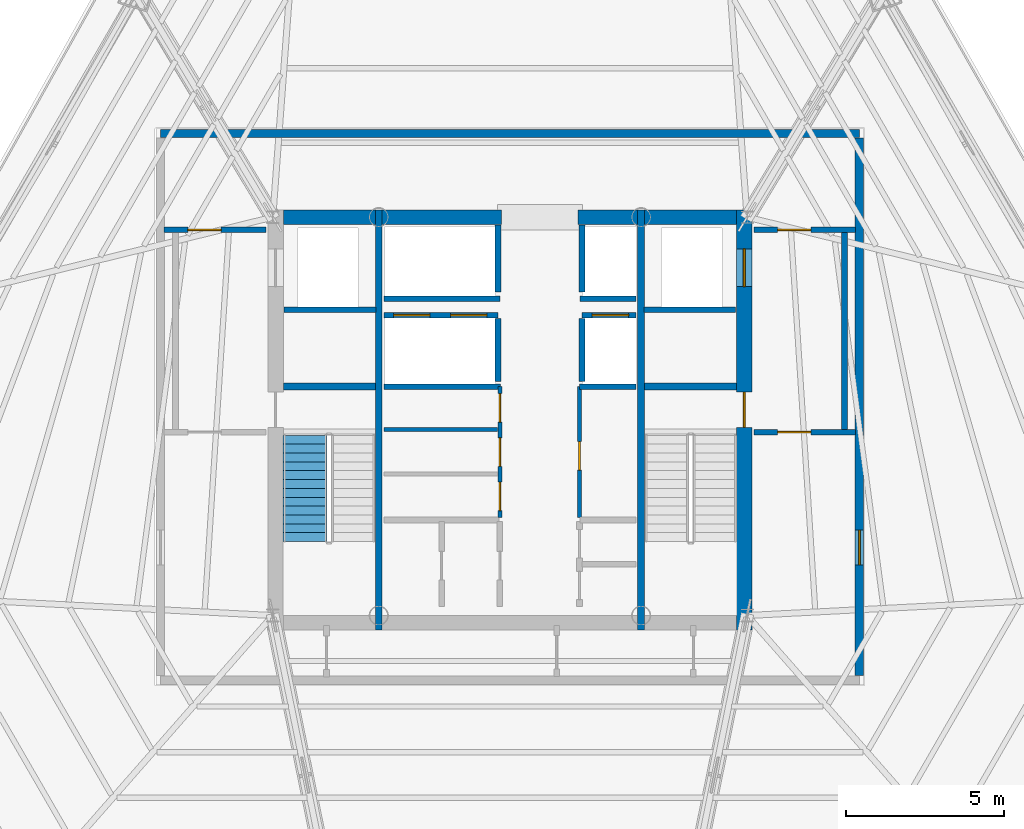
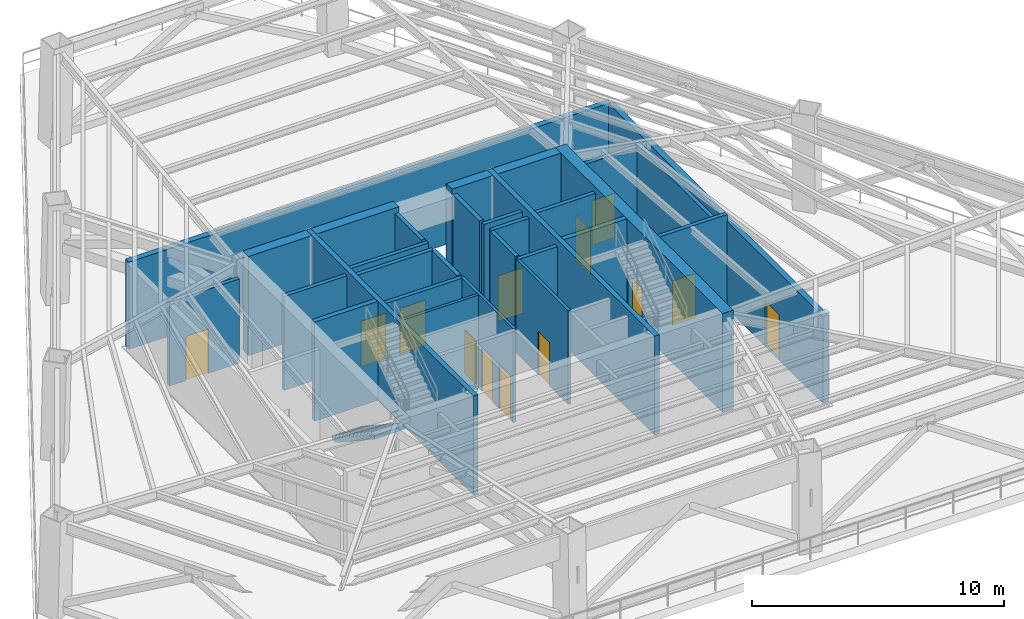
# One storey, part 6 of 12: 30 walls, 13 doors, 1 stair flight, 13 openings, 1 element without a shape of its own.
"""IFC4 building model written with IfcOpenShell, lengths in metres."""

from ifc_helpers import new_model, si_unit, direction, frame, frame_2d, origin, place, context, subcontext, project, spatial, polyline, rectangle, outline, extrude, material, layer, layer_set, type_object, element, fill, aggregate, save


model = new_model("IFC4")

# Units and contexts
model_context = context("Model", 3, precision=1e-05, world=origin(), true_north=direction((0.0, 1.0)))
body_context = subcontext(model_context, "Body", "Model", "MODEL_VIEW")
ifc_project = project(units=[si_unit("LENGTHUNIT", "METRE"), si_unit("AREAUNIT", "SQUARE_METRE"), si_unit("VOLUMEUNIT", "CUBIC_METRE"), si_unit("PLANEANGLEUNIT", "RADIAN"), si_unit("MASSUNIT", "GRAM", prefix="KILO")], contexts=[model_context])

# Site, building, storey
site_placement = place(None, origin())
site = spatial("IfcSite", under=ifc_project, at=site_placement, CompositionType="ELEMENT")
building_placement = place(site_placement, origin())
building = spatial("IfcBuilding", under=site, at=building_placement, Name="Caelisora Broadcast Tower", CompositionType="ELEMENT")
storey_placement = place(building_placement, frame((0.0, 0.0, 150.050048828125)))
storey = spatial("IfcBuildingStorey", under=building, at=storey_placement, Name="L39", CompositionType="ELEMENT", Elevation=150.050048828125)

# Wall, openings, doors
ifc_material_1 = material(Name="Concrete 50 MPa (AS 3600 S50)", Category="concrete")
ifc_layer_1 = layer(ifc_material_1, 0.5, Name="Concrete 50 MPa (AS 3600 S50)")
ifc_layer_set_1 = layer_set([ifc_layer_1], Name="Concrete 50 MPa (AS 3600 S50)")
wall_type_1 = type_object("IfcWallType", Name="CW2", PredefinedType="SHEAR", material=ifc_layer_set_1)
wall_1_placement = place(storey_placement, frame((45.409912109375, 16.949951171875, 0.0), z_axis=(0.0, 0.0, 1.0), x_axis=(0.0, 1.0, 0.0)))
wall_1 = element("IfcWall", 1, at=wall_1_placement, inside=storey, type_object=wall_type_1, Name="L39 core shear wall CW2", PredefinedType="SHEAR", context=body_context, shape_type="SweptSolid", body=[
    extrude(rectangle(XDim=13.275146484375, YDim=0.5, at=frame_2d((6.6376953125, 0.0))), origin(), (0.0, 0.0, 1.0), 4.800048828125),
])
opening_1_placement = place(wall_1_placement, frame((6.39990234375, 0.0, 0.0)))
opening_1 = element("IfcOpeningElement", 2, at=opening_1_placement, cuts=wall_1, Name="Opening FD04", PredefinedType="OPENING", context=body_context, shape_type="SweptSolid", body=[
    extrude(rectangle(XDim=1.1201171875, YDim=2.14990234375, at=frame_2d((0.56005859375, 1.074951171875))), frame((0.0, 0.261962890625, 0.0), z_axis=(0.0, -1.0, 0.0), x_axis=(1.0, 0.0, 0.0)), (0.0, 0.0, 1.0), 0.52392578125),
])
opening_2_placement = place(wall_1_placement, frame((10.85009765625, 0.0, 0.0)))
opening_2 = element("IfcOpeningElement", 3, at=opening_2_placement, cuts=wall_1, Name="Opening LD04", PredefinedType="OPENING", context=body_context, shape_type="SweptSolid", body=[
    extrude(rectangle(XDim=1.199951171875, YDim=2.199951171875, at=frame_2d((0.60009765625, 1.10009765625))), frame((0.0, 0.261962890625, 0.0), z_axis=(0.0, -1.0, 0.0), x_axis=(1.0, 0.0, 0.0)), (0.0, 0.0, 1.0), 0.52392578125),
])
ifc_material_2 = material(Name="Pressurised Fire-Isolated Stair Door", Category="steel")
door_type_1 = type_object("IfcDoorType", Name="FD04", OperationType="NOTDEFINED", PredefinedType="DOOR", material=ifc_material_2)
door_1_placement = place(opening_1_placement, origin())
door_1 = element("IfcDoor", 4, at=door_1_placement, inside=storey, type_object=door_type_1, Name="L39 door FD04 (L39-DR-ST2)", OperationType="SINGLE_SWING_RIGHT", OverallHeight=2.14990234375, OverallWidth=1.1201171875, PredefinedType="DOOR", context=body_context, shape_type="SweptSolid", body=[
    extrude(rectangle(XDim=1.1201171875, YDim=2.14990234375, at=frame_2d((0.56005859375, 1.074951171875))), frame((0.0, 0.02490234375, 0.0), z_axis=(0.0, -1.0, 0.0), x_axis=(1.0, 0.0, 0.0)), (0.0, 0.0, 1.0), 0.050048828125),
])
fill(opening_1, door_1)
ifc_material_3 = material(Name="Emergency Firefighting Lift Sliding Landing Door", Category="steel")
door_type_2 = type_object("IfcDoorType", Name="LD04", OperationType="NOTDEFINED", PredefinedType="DOOR", material=ifc_material_3)
door_2_placement = place(opening_2_placement, origin())
door_2 = element("IfcDoor", 5, at=door_2_placement, inside=storey, type_object=door_type_2, Name="L39 door LD04 (L39-LD-FFL2)", OperationType="SLIDING_TO_RIGHT", OverallHeight=2.199951171875, OverallWidth=1.199951171875, PredefinedType="DOOR", context=body_context, shape_type="SweptSolid", body=[
    extrude(rectangle(XDim=1.199951171875, YDim=2.199951171875, at=frame_2d((0.60009765625, 1.10009765625))), frame((0.0, 0.02490234375, 0.0), z_axis=(0.0, -1.0, 0.0), x_axis=(1.0, 0.0, 0.0)), (0.0, 0.0, 1.0), 0.050048828125),
])
fill(opening_2, door_2)

# Walls
ifc_layer_2 = layer(ifc_material_1, 0.449951171875, Name="Concrete 50 MPa (AS 3600 S50)")
ifc_layer_set_2 = layer_set([ifc_layer_2], Name="Concrete 50 MPa (AS 3600 S50)")
wall_type_2 = type_object("IfcWallType", Name="CW5", PredefinedType="SHEAR", material=ifc_layer_set_2)
wall_2_placement = place(storey_placement, frame((30.840087890625, 30.0, 0.0), z_axis=(0.0, 0.0, 1.0), x_axis=(1.0, 0.0, 0.0)))
element("IfcWall", 6, at=wall_2_placement, inside=storey, type_object=wall_type_2, Name="L39 core shear wall CW5", PredefinedType="SHEAR", context=body_context, shape_type="SweptSolid", body=[
    extrude(rectangle(XDim=2.89990234375, YDim=0.449951171875, at=frame_2d((1.449951171875, 0.0))), origin(), (0.0, 0.0, 1.0), 4.800048828125),
])
wall_3_placement = place(storey_placement, frame((33.9599609375, 30.0, 0.0), z_axis=(0.0, 0.0, 1.0), x_axis=(1.0, 0.0, 0.0)))
element("IfcWall", 7, at=wall_3_placement, inside=storey, type_object=wall_type_2, Name="L39 core shear wall CW5", PredefinedType="SHEAR", context=body_context, shape_type="SweptSolid", body=[
    extrude(rectangle(XDim=3.780029296875, YDim=0.449951171875, at=frame_2d((1.89013671875, 0.0))), origin(), (0.0, 0.0, 1.0), 4.800048828125),
])
wall_4_placement = place(storey_placement, frame((40.159912109375, 30.0, 0.0), z_axis=(0.0, 0.0, 1.0), x_axis=(1.0, 0.0, 0.0)))
element("IfcWall", 8, at=wall_4_placement, inside=storey, type_object=wall_type_2, Name="L39 core shear wall CW5", PredefinedType="SHEAR", context=body_context, shape_type="SweptSolid", body=[
    extrude(rectangle(XDim=1.880126953125, YDim=0.449951171875, at=frame_2d((0.93994140625, 0.0))), origin(), (0.0, 0.0, 1.0), 4.800048828125),
])
wall_5_placement = place(storey_placement, frame((42.260009765625, 30.0, 0.0), z_axis=(0.0, 0.0, 1.0), x_axis=(1.0, 0.0, 0.0)))
element("IfcWall", 9, at=wall_5_placement, inside=storey, type_object=wall_type_2, Name="L39 core shear wall CW5", PredefinedType="SHEAR", context=body_context, shape_type="SweptSolid", body=[
    extrude(rectangle(XDim=2.89990234375, YDim=0.449951171875, at=frame_2d((1.449951171875, 0.0))), origin(), (0.0, 0.0, 1.0), 4.800048828125),
])
ifc_layer_3 = layer(ifc_material_1, 0.219970703125, Name="Concrete 50 MPa (AS 3600 S50)")
ifc_layer_set_3 = layer_set([ifc_layer_3], Name="Concrete 50 MPa (AS 3600 S50)")
wall_type_3 = type_object("IfcWallType", Name="CW7", PredefinedType="SHEAR", material=ifc_layer_set_3)
for number, where, z_axis, x_axis, name in (
    (10, (33.85009765625, 16.949951171875, 0.0), (0.0, 0.0, 1.0), (0.0, 1.0, 0.0), "L39 core shear wall CW7"),
    (11, (42.14990234375, 16.949951171875, 0.0), (0.0, 0.0, 1.0), (0.0, 1.0, 0.0), "L39 core shear wall CW7"),
):
    element("IfcWall", number, at=place(storey_placement, frame(where, z_axis=z_axis, x_axis=x_axis)), inside=storey, type_object=wall_type_3, Name=name, PredefinedType="SHEAR", context=body_context, shape_type="SweptSolid", body=[
        extrude(rectangle(XDim=13.275146484375, YDim=0.219970703125, at=frame_2d((6.6376953125, 0.0))), origin(), (0.0, 0.0, 1.0), 4.800048828125),
    ])
for number, where, z_axis, x_axis, name in (
    (12, (30.840087890625, 24.639892578125, 0.0), (0.0, 0.0, 1.0), (1.0, 0.0, 0.0), "L39 core shear wall CW7"),
    (13, (42.260009765625, 24.639892578125, 0.0), (0.0, 0.0, 1.0), (1.0, 0.0, 0.0), "L39 core shear wall CW7"),
):
    element("IfcWall", number, at=place(storey_placement, frame(where, z_axis=z_axis, x_axis=x_axis)), inside=storey, type_object=wall_type_3, Name=name, PredefinedType="SHEAR", context=body_context, shape_type="SweptSolid", body=[
        extrude(rectangle(XDim=2.89990234375, YDim=0.219970703125, at=frame_2d((1.449951171875, 0.0))), origin(), (0.0, 0.0, 1.0), 4.800048828125),
    ])
ifc_material_4 = material(Name="Fire-Rated Acoustic Plant Enclosure Wall", Category="masonry")
ifc_layer_4 = layer(ifc_material_4, 0.260009765625, Name="Fire-Rated Acoustic Plant Enclosure Wall")
ifc_layer_set_4 = layer_set([ifc_layer_4], Name="Fire-Rated Acoustic Plant Enclosure Wall")
wall_type_4 = type_object("IfcWallType", Name="EW2", PredefinedType="STANDARD", material=ifc_layer_set_4)
wall_6_placement = place(storey_placement, frame((26.949951171875, 32.64990234375, 0.0), z_axis=(0.0, 0.0, 1.0), x_axis=(1.0, 0.0, 0.0)))
element("IfcWall", 14, at=wall_6_placement, inside=storey, type_object=wall_type_4, Name="L39 exterior envelope wall EW2", PredefinedType="STANDARD", context=body_context, shape_type="SweptSolid", body=[
    extrude(rectangle(XDim=22.10009765625, YDim=0.260009765625, at=frame_2d((11.050048828125, 0.0))), origin(), (0.0, 0.0, 1.0), 4.227783203125),
])

# Wall, opening, door
wall_7_placement = place(storey_placement, frame((49.050048828125, 15.5, 0.0), z_axis=(0.0, 0.0, 1.0), x_axis=(0.0, 1.0, 0.0)))
wall_7 = element("IfcWall", 15, at=wall_7_placement, inside=storey, type_object=wall_type_4, Name="L39 exterior envelope wall EW2", PredefinedType="STANDARD", context=body_context, shape_type="SweptSolid", body=[
    extrude(rectangle(XDim=17.0, YDim=0.260009765625, at=frame_2d((8.5, 0.0))), origin(), (0.0, 0.0, 1.0), 4.227783203125),
])
opening_3_placement = place(wall_7_placement, frame((3.5, 0.0, 0.0)))
opening_3 = element("IfcOpeningElement", 16, at=opening_3_placement, cuts=wall_7, Name="Opening D04", PredefinedType="OPENING", context=body_context, shape_type="SweptSolid", body=[
    extrude(rectangle(XDim=1.10009765625, YDim=2.199951171875, at=frame_2d((0.550048828125, 1.10009765625))), frame((0.0, 0.14208984375, 0.0), z_axis=(0.0, -1.0, 0.0), x_axis=(1.0, 0.0, 0.0)), (0.0, 0.0, 1.0), 0.283935546875),
])
ifc_material_5 = material(Name="Aluminium Framed Double-Glazed Terrace Door", Category="aluminium")
door_type_3 = type_object("IfcDoorType", Name="D04", OperationType="NOTDEFINED", PredefinedType="DOOR", material=ifc_material_5)
door_3_placement = place(opening_3_placement, origin())
door_3 = element("IfcDoor", 17, at=door_3_placement, inside=storey, type_object=door_type_3, Name="L39 door D04 (L39-DR-REF-E)", OperationType="SINGLE_SWING_RIGHT", OverallHeight=2.199951171875, OverallWidth=1.10009765625, PredefinedType="DOOR", context=body_context, shape_type="SweptSolid", body=[
    extrude(rectangle(XDim=1.10009765625, YDim=2.199951171875, at=frame_2d((0.550048828125, 1.10009765625))), frame((0.0, 0.02490234375, 0.0), z_axis=(0.0, -1.0, 0.0), x_axis=(1.0, 0.0, 0.0)), (0.0, 0.0, 1.0), 0.050048828125),
])
fill(opening_3, door_3)

# Wall, openings, doors
ifc_material_6 = material(Name="Fire-Rated Gypsum Shaft and Compartment Wall", Category="gypsum")
ifc_layer_5 = layer(ifc_material_6, 0.179931640625, Name="Fire-Rated Gypsum Shaft and Compartment Wall")
ifc_layer_set_5 = layer_set([ifc_layer_5], Name="Fire-Rated Gypsum Shaft and Compartment Wall")
wall_type_5 = type_object("IfcWallType", Name="PW2", PredefinedType="PARTITIONING", material=ifc_layer_set_5)
wall_8_placement = place(storey_placement, frame((34.02001953125, 26.89990234375, 0.0), z_axis=(0.0, 0.0, 1.0), x_axis=(1.0, 0.0, 0.0)))
wall_8 = element("IfcWall", 18, at=wall_8_placement, inside=storey, type_object=wall_type_5, Name="L39 fire compartment wall PW2", PredefinedType="PARTITIONING", context=body_context, shape_type="SweptSolid", body=[
    extrude(rectangle(XDim=3.60009765625, YDim=0.179931640625, at=frame_2d((1.800048828125, 0.0))), origin(), (0.0, 0.0, 1.0), 4.550048828125),
])
opening_4_placement = place(wall_8_placement, frame((0.300048828125, 0.0, 0.0)))
opening_4 = element("IfcOpeningElement", 19, at=opening_4_placement, cuts=wall_8, Name="Opening LD02", PredefinedType="OPENING", context=body_context, shape_type="SweptSolid", body=[
    extrude(rectangle(XDim=1.14990234375, YDim=2.199951171875, at=frame_2d((0.574951171875, 1.10009765625))), frame((0.0, 0.10205078125, 0.0), z_axis=(0.0, -1.0, 0.0), x_axis=(1.0, 0.0, 0.0)), (0.0, 0.0, 1.0), 0.203857421875),
])
opening_5_placement = place(wall_8_placement, frame((2.10009765625, 0.0, 0.0)))
opening_5 = element("IfcOpeningElement", 20, at=opening_5_placement, cuts=wall_8, Name="Opening LD02", PredefinedType="OPENING", context=body_context, shape_type="SweptSolid", body=[
    extrude(rectangle(XDim=1.14990234375, YDim=2.199951171875, at=frame_2d((0.574951171875, 1.10009765625))), frame((0.0, 0.10205078125, 0.0), z_axis=(0.0, -1.0, 0.0), x_axis=(1.0, 0.0, 0.0)), (0.0, 0.0, 1.0), 0.203857421875),
])
ifc_material_7 = material(Name="High-Speed Express Lift Sliding Landing Door", Category="steel")
door_type_4 = type_object("IfcDoorType", Name="LD02", OperationType="NOTDEFINED", PredefinedType="DOOR", material=ifc_material_7)
door_4_placement = place(opening_4_placement, origin())
door_4 = element("IfcDoor", 21, at=door_4_placement, inside=storey, type_object=door_type_4, Name="L39 door LD02 (L39-LD-PLM1)", OperationType="SLIDING_TO_LEFT", OverallHeight=2.199951171875, OverallWidth=1.14990234375, PredefinedType="DOOR", context=body_context, shape_type="SweptSolid", body=[
    extrude(rectangle(XDim=1.14990234375, YDim=2.199951171875, at=frame_2d((0.574951171875, 1.10009765625))), frame((0.0, 0.02490234375, 0.0), z_axis=(0.0, -1.0, 0.0), x_axis=(1.0, 0.0, 0.0)), (0.0, 0.0, 1.0), 0.050048828125),
])
fill(opening_4, door_4)
door_5_placement = place(opening_5_placement, origin())
door_5 = element("IfcDoor", 22, at=door_5_placement, inside=storey, type_object=door_type_4, Name="L39 door LD02 (L39-LD-PLM2)", OperationType="SLIDING_TO_RIGHT", OverallHeight=2.199951171875, OverallWidth=1.14990234375, PredefinedType="DOOR", context=body_context, shape_type="SweptSolid", body=[
    extrude(rectangle(XDim=1.14990234375, YDim=2.199951171875, at=frame_2d((0.574951171875, 1.10009765625))), frame((0.0, 0.02490234375, 0.0), z_axis=(0.0, -1.0, 0.0), x_axis=(1.0, 0.0, 0.0)), (0.0, 0.0, 1.0), 0.050048828125),
])
fill(opening_5, door_5)

# Wall, opening, door
wall_9_placement = place(storey_placement, frame((40.280029296875, 26.89990234375, 0.0), z_axis=(0.0, 0.0, 1.0), x_axis=(1.0, 0.0, 0.0)))
wall_9 = element("IfcWall", 23, at=wall_9_placement, inside=storey, type_object=wall_type_5, Name="L39 fire compartment wall PW2", PredefinedType="PARTITIONING", context=body_context, shape_type="SweptSolid", body=[
    extrude(rectangle(XDim=1.699951171875, YDim=0.179931640625, at=frame_2d((0.85009765625, 0.0))), origin(), (0.0, 0.0, 1.0), 4.550048828125),
])
opening_6_placement = place(wall_9_placement, frame((0.320068359375, 0.0, 0.0)))
opening_6 = element("IfcOpeningElement", 24, at=opening_6_placement, cuts=wall_9, Name="Opening LD02", PredefinedType="OPENING", context=body_context, shape_type="SweptSolid", body=[
    extrude(rectangle(XDim=1.14990234375, YDim=2.199951171875, at=frame_2d((0.574951171875, 1.10009765625))), frame((0.0, 0.10205078125, 0.0), z_axis=(0.0, -1.0, 0.0), x_axis=(1.0, 0.0, 0.0)), (0.0, 0.0, 1.0), 0.203857421875),
])
door_6_placement = place(opening_6_placement, origin())
door_6 = element("IfcDoor", 25, at=door_6_placement, inside=storey, type_object=door_type_4, Name="L39 door LD02 (L39-LD-PLM3)", OperationType="SLIDING_TO_LEFT", OverallHeight=2.199951171875, OverallWidth=1.14990234375, PredefinedType="DOOR", context=body_context, shape_type="SweptSolid", body=[
    extrude(rectangle(XDim=1.14990234375, YDim=2.199951171875, at=frame_2d((0.574951171875, 1.10009765625))), frame((0.0, 0.02490234375, 0.0), z_axis=(0.0, -1.0, 0.0), x_axis=(1.0, 0.0, 0.0)), (0.0, 0.0, 1.0), 0.050048828125),
])
fill(opening_6, door_6)

# Walls
for number, where, z_axis, x_axis, name in (
    (26, (37.6201171875, 24.800048828125, 0.0), (0.0, 0.0, 1.0), (0.0, 1.0, 0.0), "L39 fire compartment wall PW2"),
    (27, (40.280029296875, 24.800048828125, 0.0), (0.0, 0.0, 1.0), (0.0, 1.0, 0.0), "L39 fire compartment wall PW2"),
):
    element("IfcWall", number, at=place(storey_placement, frame(where, z_axis=z_axis, x_axis=x_axis)), inside=storey, type_object=wall_type_5, Name=name, PredefinedType="PARTITIONING", context=body_context, shape_type="SweptSolid", body=[
        extrude(rectangle(XDim=2.0, YDim=0.179931640625, at=frame_2d((1.0, 0.0))), origin(), (0.0, 0.0, 1.0), 4.550048828125),
    ])
wall_10_placement = place(storey_placement, frame((34.02001953125, 24.639892578125, 0.0), z_axis=(0.0, 0.0, 1.0), x_axis=(1.0, 0.0, 0.0)))
element("IfcWall", 28, at=wall_10_placement, inside=storey, type_object=wall_type_5, Name="L39 fire compartment wall PW2", PredefinedType="PARTITIONING", context=body_context, shape_type="SweptSolid", body=[
    extrude(rectangle(XDim=3.679931640625, YDim=0.179931640625, at=frame_2d((1.83984375, 0.0))), origin(), (0.0, 0.0, 1.0), 4.550048828125),
])
wall_11_placement = place(storey_placement, frame((40.199951171875, 24.639892578125, 0.0), z_axis=(0.0, 0.0, 1.0), x_axis=(1.0, 0.0, 0.0)))
element("IfcWall", 29, at=wall_11_placement, inside=storey, type_object=wall_type_5, Name="L39 fire compartment wall PW2", PredefinedType="PARTITIONING", context=body_context, shape_type="SweptSolid", body=[
    extrude(rectangle(XDim=1.780029296875, YDim=0.179931640625, at=frame_2d((0.89013671875, 0.0))), origin(), (0.0, 0.0, 1.0), 4.550048828125),
])
wall_12_placement = place(storey_placement, frame((34.02001953125, 27.419921875, 0.0), z_axis=(0.0, 0.0, 1.0), x_axis=(1.0, 0.0, 0.0)))
element("IfcWall", 30, at=wall_12_placement, inside=storey, type_object=wall_type_5, Name="L39 fire compartment wall PW2", PredefinedType="PARTITIONING", context=body_context, shape_type="SweptSolid", body=[
    extrude(rectangle(XDim=3.659912109375, YDim=0.179931640625, at=frame_2d((1.830078125, 0.0))), origin(), (0.0, 0.0, 1.0), 4.550048828125),
])
wall_13_placement = place(storey_placement, frame((40.219970703125, 27.419921875, 0.0), z_axis=(0.0, 0.0, 1.0), x_axis=(1.0, 0.0, 0.0)))
element("IfcWall", 31, at=wall_13_placement, inside=storey, type_object=wall_type_5, Name="L39 fire compartment wall PW2", PredefinedType="PARTITIONING", context=body_context, shape_type="SweptSolid", body=[
    extrude(rectangle(XDim=1.760009765625, YDim=0.179931640625, at=frame_2d((0.8798828125, 0.0))), origin(), (0.0, 0.0, 1.0), 4.550048828125),
])
for number, where, z_axis, x_axis, name in (
    (32, (37.6201171875, 27.639892578125, 0.0), (0.0, 0.0, 1.0), (0.0, 1.0, 0.0), "L39 fire compartment wall PW2"),
    (33, (40.280029296875, 27.639892578125, 0.0), (0.0, 0.0, 1.0), (0.0, 1.0, 0.0), "L39 fire compartment wall PW2"),
):
    element("IfcWall", number, at=place(storey_placement, frame(where, z_axis=z_axis, x_axis=x_axis)), inside=storey, type_object=wall_type_5, Name=name, PredefinedType="PARTITIONING", context=body_context, shape_type="SweptSolid", body=[
        extrude(rectangle(XDim=2.110107421875, YDim=0.179931640625, at=frame_2d((1.05517578125, 0.0))), origin(), (0.0, 0.0, 1.0), 4.550048828125),
    ])

# Wall, opening, door
wall_14_placement = place(storey_placement, frame((27.06494140625, 29.60009765625, 0.0), z_axis=(0.0, 0.0, 1.0), x_axis=(1.0, 0.0, 0.0)))
wall_14 = element("IfcWall", 34, at=wall_14_placement, inside=storey, type_object=wall_type_5, Name="L39 fire compartment wall PW2", PredefinedType="PARTITIONING", context=body_context, shape_type="SweptSolid", body=[
    extrude(rectangle(XDim=3.215087890625, YDim=0.179931640625, at=frame_2d((1.607421875, 0.0))), origin(), (0.0, 0.0, 1.0), 4.074462890625),
])
opening_7_placement = place(wall_14_placement, frame((0.75, 0.0, 0.0)))
opening_7 = element("IfcOpeningElement", 35, at=opening_7_placement, cuts=wall_14, Name="Opening FD02", PredefinedType="OPENING", context=body_context, shape_type="SweptSolid", body=[
    extrude(rectangle(XDim=1.050048828125, YDim=2.14990234375, at=frame_2d((0.52490234375, 1.074951171875))), frame((0.0, 0.10205078125, 0.0), z_axis=(0.0, -1.0, 0.0), x_axis=(1.0, 0.0, 0.0)), (0.0, 0.0, 1.0), 0.203857421875),
])
ifc_material_8 = material(Name="Single-Leaf Steel Fire Lobby Door", Category="steel")
door_type_5 = type_object("IfcDoorType", Name="FD02", OperationType="NOTDEFINED", PredefinedType="DOOR", material=ifc_material_8)
door_7_placement = place(opening_7_placement, origin())
door_7 = element("IfcDoor", 36, at=door_7_placement, inside=storey, type_object=door_type_5, Name="L39 door FD02 (L39-DR-P03D1)", OperationType="SINGLE_SWING_RIGHT", OverallHeight=2.14990234375, OverallWidth=1.050048828125, PredefinedType="DOOR", context=body_context, shape_type="SweptSolid", body=[
    extrude(rectangle(XDim=1.050048828125, YDim=2.14990234375, at=frame_2d((0.52490234375, 1.074951171875))), frame((0.0, 0.02490234375, 0.0), z_axis=(0.0, -1.0, 0.0), x_axis=(1.0, 0.0, 0.0)), (0.0, 0.0, 1.0), 0.050048828125),
])
fill(opening_7, door_7)

# Wall
wall_15_placement = place(storey_placement, frame((48.580078125, 23.199951171875, 0.0), z_axis=(0.0, 0.0, 1.0), x_axis=(0.0, 1.0, 0.0)))
element("IfcWall", 37, at=wall_15_placement, inside=storey, type_object=wall_type_5, Name="L39 fire compartment wall PW2", PredefinedType="PARTITIONING", context=body_context, shape_type="SweptSolid", body=[
    extrude(rectangle(XDim=6.400146484375, YDim=0.179931640625, at=frame_2d((3.2001953125, 0.0))), origin(), (0.0, 0.0, 1.0), 4.227783203125),
])

# Wall, opening, door
wall_16_placement = place(storey_placement, frame((45.719970703125, 23.199951171875, 0.0), z_axis=(0.0, 0.0, 1.0), x_axis=(1.0, 0.0, 0.0)))
wall_16 = element("IfcWall", 38, at=wall_16_placement, inside=storey, type_object=wall_type_5, Name="L39 fire compartment wall PW2", PredefinedType="PARTITIONING", context=body_context, shape_type="SweptSolid", body=[
    extrude(rectangle(XDim=3.215087890625, YDim=0.179931640625, at=frame_2d((1.607421875, 0.0))), origin(), (0.0, 0.0, 1.0), 4.550048828125),
])
opening_8_placement = place(wall_16_placement, frame((0.75, 0.0, 0.0)))
opening_8 = element("IfcOpeningElement", 39, at=opening_8_placement, cuts=wall_16, Name="Opening FD02", PredefinedType="OPENING", context=body_context, shape_type="SweptSolid", body=[
    extrude(rectangle(XDim=1.050048828125, YDim=2.14990234375, at=frame_2d((0.52490234375, 1.074951171875))), frame((0.0, 0.10205078125, 0.0), z_axis=(0.0, -1.0, 0.0), x_axis=(1.0, 0.0, 0.0)), (0.0, 0.0, 1.0), 0.203857421875),
])
door_8_placement = place(opening_8_placement, origin())
door_8 = element("IfcDoor", 40, at=door_8_placement, inside=storey, type_object=door_type_5, Name="L39 door FD02 (L39-DR-P05D1)", OperationType="SINGLE_SWING_LEFT", OverallHeight=2.14990234375, OverallWidth=1.050048828125, PredefinedType="DOOR", context=body_context, shape_type="SweptSolid", body=[
    extrude(rectangle(XDim=1.050048828125, YDim=2.14990234375, at=frame_2d((0.52490234375, 1.074951171875))), frame((0.0, 0.02490234375, 0.0), z_axis=(0.0, -1.0, 0.0), x_axis=(1.0, 0.0, 0.0)), (0.0, 0.0, 1.0), 0.050048828125),
])
fill(opening_8, door_8)

wall_17_placement = place(storey_placement, frame((45.719970703125, 29.60009765625, 0.0), z_axis=(0.0, 0.0, 1.0), x_axis=(1.0, 0.0, 0.0)))
wall_17 = element("IfcWall", 41, at=wall_17_placement, inside=storey, type_object=wall_type_5, Name="L39 fire compartment wall PW2", PredefinedType="PARTITIONING", context=body_context, shape_type="SweptSolid", body=[
    extrude(rectangle(XDim=3.215087890625, YDim=0.179931640625, at=frame_2d((1.607421875, 0.0))), origin(), (0.0, 0.0, 1.0), 4.074462890625),
])
opening_9_placement = place(wall_17_placement, frame((0.75, 0.0, 0.0)))
opening_9 = element("IfcOpeningElement", 42, at=opening_9_placement, cuts=wall_17, Name="Opening FD02", PredefinedType="OPENING", context=body_context, shape_type="SweptSolid", body=[
    extrude(rectangle(XDim=1.050048828125, YDim=2.14990234375, at=frame_2d((0.52490234375, 1.074951171875))), frame((0.0, 0.10205078125, 0.0), z_axis=(0.0, -1.0, 0.0), x_axis=(1.0, 0.0, 0.0)), (0.0, 0.0, 1.0), 0.203857421875),
])
door_9_placement = place(opening_9_placement, origin())
door_9 = element("IfcDoor", 43, at=door_9_placement, inside=storey, type_object=door_type_5, Name="L39 door FD02 (L39-DR-P06D1)", OperationType="SINGLE_SWING_RIGHT", OverallHeight=2.14990234375, OverallWidth=1.050048828125, PredefinedType="DOOR", context=body_context, shape_type="SweptSolid", body=[
    extrude(rectangle(XDim=1.050048828125, YDim=2.14990234375, at=frame_2d((0.52490234375, 1.074951171875))), frame((0.0, 0.02490234375, 0.0), z_axis=(0.0, -1.0, 0.0), x_axis=(1.0, 0.0, 0.0)), (0.0, 0.0, 1.0), 0.050048828125),
])
fill(opening_9, door_9)

# Walls
for number, where, z_axis, x_axis, name in (
    (44, (30.860107421875, 27.070068359375, 0.0), (0.0, 0.0, 1.0), (1.0, 0.0, 0.0), "L39 fire compartment wall PW2"),
    (45, (42.239990234375, 27.070068359375, 0.0), (0.0, 0.0, 1.0), (1.0, 0.0, 0.0), "L39 fire compartment wall PW2"),
):
    element("IfcWall", number, at=place(storey_placement, frame(where, z_axis=z_axis, x_axis=x_axis)), inside=storey, type_object=wall_type_5, Name=name, PredefinedType="PARTITIONING", context=body_context, shape_type="SweptSolid", body=[
        extrude(rectangle(XDim=2.89990234375, YDim=0.179931640625, at=frame_2d((1.449951171875, 0.0))), origin(), (0.0, 0.0, 1.0), 4.550048828125),
    ])
ifc_material_9 = material(Name="Acoustic Steel-Stud Plasterboard Partition", Category="gypsum")
ifc_layer_6 = layer(ifc_material_9, 0.1298828125, Name="Acoustic Steel-Stud Plasterboard Partition")
ifc_layer_set_6 = layer_set([ifc_layer_6], Name="Acoustic Steel-Stud Plasterboard Partition")
wall_type_6 = type_object("IfcWallType", Name="PW3", PredefinedType="PARTITIONING", material=ifc_layer_set_6)
wall_18_placement = place(storey_placement, frame((34.02001953125, 23.280029296875, 0.0), z_axis=(0.0, 0.0, 1.0), x_axis=(1.0, 0.0, 0.0)))
element("IfcWall", 46, at=wall_18_placement, inside=storey, type_object=wall_type_6, Name="L39 internal partition PW3", PredefinedType="PARTITIONING", context=body_context, shape_type="SweptSolid", body=[
    extrude(rectangle(XDim=3.580078125, YDim=0.1298828125, at=frame_2d((1.7900390625, 0.0))), origin(), (0.0, 0.0, 1.0), 4.550048828125),
])

# Wall, openings, doors
wall_19_placement = place(storey_placement, frame((37.679931640625, 20.5, 0.0), z_axis=(0.0, 0.0, 1.0), x_axis=(0.0, 1.0, 0.0)))
wall_19 = element("IfcWall", 47, at=wall_19_placement, inside=storey, type_object=wall_type_6, Name="L39 internal partition PW3", PredefinedType="PARTITIONING", context=body_context, shape_type="SweptSolid", body=[
    extrude(rectangle(XDim=4.139892578125, YDim=0.1298828125, at=frame_2d((2.06982421875, 0.0))), origin(), (0.0, 0.0, 1.0), 4.550048828125),
])
opening_10_placement = place(wall_19_placement, frame((0.219970703125, 0.0, 0.0)))
opening_10 = element("IfcOpeningElement", 48, at=opening_10_placement, cuts=wall_19, Name="Opening FD03", PredefinedType="OPENING", context=body_context, shape_type="SweptSolid", body=[
    extrude(rectangle(XDim=0.89990234375, YDim=2.10009765625, at=frame_2d((0.449951171875, 1.050048828125))), frame((0.0, 0.076904296875, 0.0), z_axis=(0.0, -1.0, 0.0), x_axis=(1.0, 0.0, 0.0)), (0.0, 0.0, 1.0), 0.15380859375),
])
opening_11_placement = place(wall_19_placement, frame((1.6201171875, 0.0, 0.0)))
opening_11 = element("IfcOpeningElement", 49, at=opening_11_placement, cuts=wall_19, Name="Opening FD03", PredefinedType="OPENING", context=body_context, shape_type="SweptSolid", body=[
    extrude(rectangle(XDim=0.89990234375, YDim=2.10009765625, at=frame_2d((0.449951171875, 1.050048828125))), frame((0.0, 0.076904296875, 0.0), z_axis=(0.0, -1.0, 0.0), x_axis=(1.0, 0.0, 0.0)), (0.0, 0.0, 1.0), 0.15380859375),
])
opening_12_placement = place(wall_19_placement, frame((3.02001953125, 0.0, 0.0)))
opening_12 = element("IfcOpeningElement", 50, at=opening_12_placement, cuts=wall_19, Name="Opening FD03", PredefinedType="OPENING", context=body_context, shape_type="SweptSolid", body=[
    extrude(rectangle(XDim=0.89990234375, YDim=2.10009765625, at=frame_2d((0.449951171875, 1.050048828125))), frame((0.0, 0.076904296875, 0.0), z_axis=(0.0, -1.0, 0.0), x_axis=(1.0, 0.0, 0.0)), (0.0, 0.0, 1.0), 0.15380859375),
])
ifc_material_10 = material(Name="Single-Leaf Steel Riser Fire Access Door", Category="steel")
door_type_6 = type_object("IfcDoorType", Name="FD03", OperationType="NOTDEFINED", PredefinedType="DOOR", material=ifc_material_10)
door_10_placement = place(opening_10_placement, origin())
door_10 = element("IfcDoor", 51, at=door_10_placement, inside=storey, type_object=door_type_6, Name="L39 door FD03 (L39-DR-P13D1)", OperationType="SINGLE_SWING_LEFT", OverallHeight=2.10009765625, OverallWidth=0.89990234375, PredefinedType="DOOR", context=body_context, shape_type="SweptSolid", body=[
    extrude(rectangle(XDim=0.89990234375, YDim=2.10009765625, at=frame_2d((0.449951171875, 1.050048828125))), frame((0.0, 0.02490234375, 0.0), z_axis=(0.0, -1.0, 0.0), x_axis=(1.0, 0.0, 0.0)), (0.0, 0.0, 1.0), 0.050048828125),
])
fill(opening_10, door_10)
door_11_placement = place(opening_11_placement, origin())
door_11 = element("IfcDoor", 52, at=door_11_placement, inside=storey, type_object=door_type_6, Name="L39 door FD03 (L39-DR-P13D2)", OperationType="SINGLE_SWING_RIGHT", OverallHeight=2.10009765625, OverallWidth=0.89990234375, PredefinedType="DOOR", context=body_context, shape_type="SweptSolid", body=[
    extrude(rectangle(XDim=0.89990234375, YDim=2.10009765625, at=frame_2d((0.449951171875, 1.050048828125))), frame((0.0, 0.02490234375, 0.0), z_axis=(0.0, -1.0, 0.0), x_axis=(1.0, 0.0, 0.0)), (0.0, 0.0, 1.0), 0.050048828125),
])
fill(opening_11, door_11)
door_12_placement = place(opening_12_placement, origin())
door_12 = element("IfcDoor", 53, at=door_12_placement, inside=storey, type_object=door_type_6, Name="L39 door FD03 (L39-DR-P13D3)", OperationType="SINGLE_SWING_LEFT", OverallHeight=2.10009765625, OverallWidth=0.89990234375, PredefinedType="DOOR", context=body_context, shape_type="SweptSolid", body=[
    extrude(rectangle(XDim=0.89990234375, YDim=2.10009765625, at=frame_2d((0.449951171875, 1.050048828125))), frame((0.0, 0.02490234375, 0.0), z_axis=(0.0, -1.0, 0.0), x_axis=(1.0, 0.0, 0.0)), (0.0, 0.0, 1.0), 0.050048828125),
])
fill(opening_12, door_12)

# Wall, opening, door
wall_20_placement = place(storey_placement, frame((40.199951171875, 20.5, 0.0), z_axis=(0.0, 0.0, 1.0), x_axis=(0.0, 1.0, 0.0)))
wall_20 = element("IfcWall", 54, at=wall_20_placement, inside=storey, type_object=wall_type_6, Name="L39 internal partition PW3", PredefinedType="PARTITIONING", context=body_context, shape_type="SweptSolid", body=[
    extrude(rectangle(XDim=4.139892578125, YDim=0.1298828125, at=frame_2d((2.06982421875, 0.0))), origin(), (0.0, 0.0, 1.0), 4.550048828125),
])
opening_13_placement = place(wall_20_placement, frame((1.5, 0.0, 0.0)))
opening_13 = element("IfcOpeningElement", 55, at=opening_13_placement, cuts=wall_20, Name="Opening FD03", PredefinedType="OPENING", context=body_context, shape_type="SweptSolid", body=[
    extrude(rectangle(XDim=0.89990234375, YDim=2.10009765625, at=frame_2d((0.449951171875, 1.050048828125))), frame((0.0, 0.076904296875, 0.0), z_axis=(0.0, -1.0, 0.0), x_axis=(1.0, 0.0, 0.0)), (0.0, 0.0, 1.0), 0.15380859375),
])
door_13_placement = place(opening_13_placement, origin())
door_13 = element("IfcDoor", 56, at=door_13_placement, inside=storey, type_object=door_type_6, Name="L39 door FD03 (L39-DR-P14D1)", OperationType="SINGLE_SWING_RIGHT", OverallHeight=2.10009765625, OverallWidth=0.89990234375, PredefinedType="DOOR", context=body_context, shape_type="SweptSolid", body=[
    extrude(rectangle(XDim=0.89990234375, YDim=2.10009765625, at=frame_2d((0.449951171875, 1.050048828125))), frame((0.0, 0.02490234375, 0.0), z_axis=(0.0, -1.0, 0.0), x_axis=(1.0, 0.0, 0.0)), (0.0, 0.0, 1.0), 0.050048828125),
])
fill(opening_13, door_13)

# Stair, stair flight
ifc_material_11 = material(Name="Concrete 40 MPa (AS 3600 N40)", Category="concrete")
stair_type = type_object("IfcStairType", Name="ST-1", PredefinedType="HALF_TURN_STAIR", material=ifc_material_11)
stair_placement = place(storey_placement, origin())
stair = element("IfcStair", 57, at=stair_placement, inside=storey, type_object=stair_type, Name="L39 West Fire-Isolated Tower Stair", PredefinedType="HALF_TURN_STAIR")
stair_flight_type = type_object("IfcStairFlightType", Name="STF-3", PredefinedType="STRAIGHT", material=ifc_material_11)
stair_flight_placement = place(storey_placement, frame((31.52001953125, 23.10009765625, 0.0), z_axis=(0.0, 0.0, 1.0), x_axis=(0.0, -1.0, 0.0)))
stair_flight = element("IfcStairFlight", 58, at=stair_flight_placement, type_object=stair_flight_type, Name="ST-1 flight 1", NumberOfRisers=13, NumberOfTreads=12, PredefinedType="STRAIGHT", RiserHeight=0.184615385, TreadLength=0.28, context=body_context, shape_type="SweptSolid", body=[
    extrude(outline(polyline([(0.0, 0.0), (0.0, 0.1845703125), (0.280029296875, 0.1845703125), (0.280029296875, 0.369140625), (0.56005859375, 0.369140625), (0.56005859375, 0.553955078125), (0.840087890625, 0.553955078125), (0.840087890625, 0.738525390625), (1.1201171875, 0.738525390625), (1.1201171875, 0.923095703125), (1.39990234375, 0.923095703125), (1.39990234375, 1.107666015625), (1.679931640625, 1.107666015625), (1.679931640625, 1.292236328125), (1.9599609375, 1.292236328125), (1.9599609375, 1.476806640625), (2.239990234375, 1.476806640625), (2.239990234375, 1.66162109375), (2.52001953125, 1.66162109375), (2.52001953125, 1.84619140625), (2.800048828125, 1.84619140625), (2.800048828125, 2.03076171875), (3.080078125, 2.03076171875), (3.080078125, 2.21533203125), (3.360107421875, 2.21533203125), (3.360107421875, 2.39990234375), (3.360107421875, 2.035888671875), (0.272216796875, 0.0), (0.0, 0.0)])), frame((0.0, 0.699951171875, 0.0), z_axis=(0.0, -1.0, 0.0), x_axis=(1.0, 0.0, 0.0)), (0.0, 0.0, 1.0), 1.39990234375),
])
aggregate(stair, [stair_flight])

save(model, "model.ifc")
